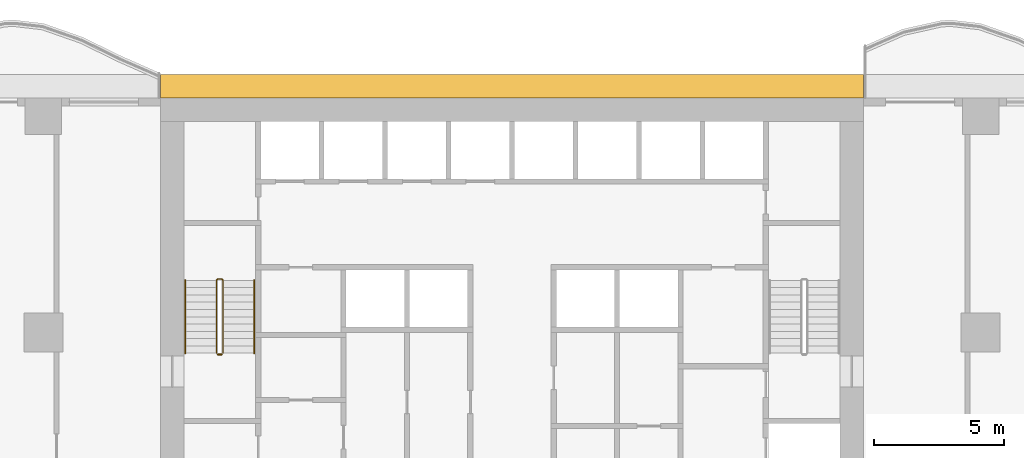
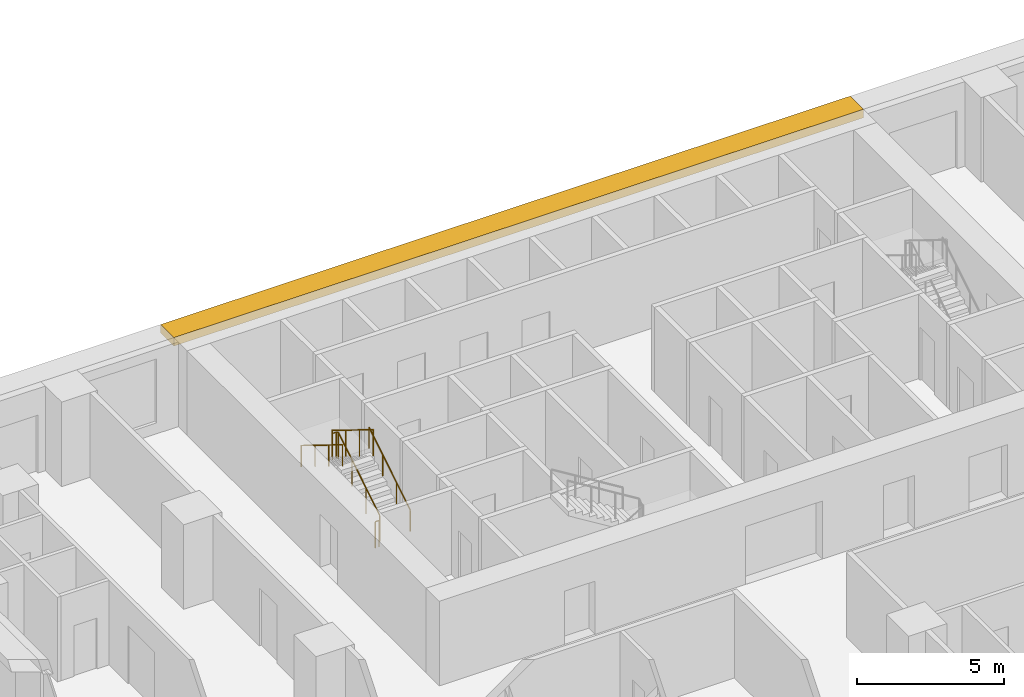
# One storey, part 12 of 14: 4 railings, 1 shading device.
"""IFC4 building model written with IfcOpenShell, lengths in metres."""

from ifc_helpers import new_model, si_unit, direction, frame, origin, origin_2d, place, context, subcontext, project, spatial, polyline, circle, outline, extrude, material, layer, layer_set, type_object, element, save


model = new_model("IFC4")

# Units and contexts
model_context = context("Model", 3, precision=1e-05, world=origin(), true_north=direction((0.0, 1.0)))
body_context = subcontext(model_context, "Body", "Model", "MODEL_VIEW")
ifc_project = project(units=[si_unit("LENGTHUNIT", "METRE"), si_unit("AREAUNIT", "SQUARE_METRE"), si_unit("VOLUMEUNIT", "CUBIC_METRE"), si_unit("PLANEANGLEUNIT", "RADIAN"), si_unit("MASSUNIT", "GRAM", prefix="KILO")], contexts=[model_context])

# Site, building, storey
site_placement = place(None, origin())
site = spatial("IfcSite", under=ifc_project, at=site_placement, CompositionType="ELEMENT")
building_placement = place(site_placement, origin())
building = spatial("IfcBuilding", under=site, at=building_placement, Name="Orbiselva Terraces", CompositionType="ELEMENT")
storey_placement = place(building_placement, frame((0.0, 0.0, 41.6)))
storey = spatial("IfcBuildingStorey", under=building, at=storey_placement, Name="L10", CompositionType="ELEMENT", Elevation=41.6)

# Railings
ifc_material_1 = material(Name="Stainless steel", Category="steel")
railing_type_1 = type_object("IfcRailingType", Name="CORE-GUARD-1100", PredefinedType="GUARDRAIL", material=ifc_material_1)
railing_1_placement = place(storey_placement, frame((-11.1, 12.7, 0.172727)))
element("IfcRailing", 1, at=railing_1_placement, inside=storey, type_object=railing_type_1, Name="L10 S1 stair guard 1", PredefinedType="GUARDRAIL", context=body_context, shape_type="SweptSolid", body=[
    extrude(circle(Radius=0.024, at=origin_2d()), frame((0.0, 0.0, 1.081), z_axis=(0.0, 0.851088519012, 0.52502222125), x_axis=(-1.0, 0.0, 0.0)), (0.0, 0.0, 1.0), 3.289905),
    extrude(circle(Radius=0.024, at=origin_2d()), frame((0.0, 2.8, 2.808273), z_axis=(-0.707106781187, 0.707106781187, 0.0), x_axis=(-0.707106781187, -0.707106781187, 0.0)), (0.0, 0.0, 1.0), 0.070711),
    extrude(circle(Radius=0.024, at=origin_2d()), frame((-0.05, 2.85, 2.808273), z_axis=(-1.0, 0.0, 0.0), x_axis=(0.0, -1.0, 0.0)), (0.0, 0.0, 1.0), 0.15),
    extrude(circle(Radius=0.024, at=origin_2d()), frame((-0.2, 2.85, 2.808273), z_axis=(-0.267894925557, -0.267894925557, 0.925453736133), x_axis=(0.707106781187, -0.707106781187, 0.0)), (0.0, 0.0, 1.0), 0.18664),
    extrude(circle(Radius=0.024, at=origin_2d()), frame((-0.25, 2.8, 2.981), z_axis=(0.0, -0.851088519012, 0.52502222125), x_axis=(1.0, 0.0, 0.0)), (0.0, 0.0, 1.0), 3.289905),
    extrude(circle(Radius=0.021, at=origin_2d()), origin(), (0.0, 0.0, 1.0), 1.057),
    extrude(circle(Radius=0.021, at=origin_2d()), frame((0.0, 0.933333, 0.575758)), (0.0, 0.0, 1.0), 1.057),
    extrude(circle(Radius=0.021, at=origin_2d()), frame((0.0, 1.866667, 1.151515)), (0.0, 0.0, 1.0), 1.057),
    extrude(circle(Radius=0.021, at=origin_2d()), frame((0.0, 2.8, 1.727273)), (0.0, 0.0, 1.0), 1.057),
    extrude(circle(Radius=0.021, at=origin_2d()), frame((-0.05, 2.85, 1.727273)), (0.0, 0.0, 1.0), 1.057),
    extrude(circle(Radius=0.021, at=origin_2d()), frame((-0.2, 2.85, 1.727273)), (0.0, 0.0, 1.0), 1.057),
    extrude(circle(Radius=0.021, at=origin_2d()), frame((-0.25, 2.8, 1.9)), (0.0, 0.0, 1.0), 1.057),
    extrude(circle(Radius=0.021, at=origin_2d()), frame((-0.25, 1.866667, 2.475758)), (0.0, 0.0, 1.0), 1.057),
    extrude(circle(Radius=0.021, at=origin_2d()), frame((-0.25, 0.933333, 3.051515)), (0.0, 0.0, 1.0), 1.057),
    extrude(circle(Radius=0.021, at=origin_2d()), frame((-0.25, 0.0, 3.627273)), (0.0, 0.0, 1.0), 1.057),
])
railing_2_placement = place(storey_placement, frame((-11.15, 12.65, 0.0)))
element("IfcRailing", 2, at=railing_2_placement, inside=storey, type_object=railing_type_1, Name="L10 S1 stair guard 2", PredefinedType="GUARDRAIL", context=body_context, shape_type="SweptSolid", body=[
    extrude(circle(Radius=0.024, at=origin_2d()), frame((0.0, 0.0, 1.081), z_axis=(-1.0, 0.0, 0.0), x_axis=(0.0, -1.0, 0.0)), (0.0, 0.0, 1.0), 0.15),
    extrude(circle(Radius=0.021, at=origin_2d()), origin(), (0.0, 0.0, 1.0), 1.057),
    extrude(circle(Radius=0.021, at=origin_2d()), frame((-0.15, 0.0, 0.0)), (0.0, 0.0, 1.0), 1.057),
])
railing_type_2 = type_object("IfcRailingType", Name="CORE-HANDRAIL-900", PredefinedType="HANDRAIL", material=ifc_material_1)
railing_3_placement = place(storey_placement, frame((-9.9, 12.7, 0.172727)))
element("IfcRailing", 3, at=railing_3_placement, inside=storey, type_object=railing_type_2, Name="L10 S1 stair handrail 1", PredefinedType="HANDRAIL", context=body_context, shape_type="SweptSolid", body=[
    extrude(circle(Radius=0.024, at=origin_2d()), frame((0.0, 0.0, 0.876), z_axis=(0.0, 0.851088519012, 0.52502222125), x_axis=(-1.0, 0.0, 0.0)), (0.0, 0.0, 1.0), 3.289905),
    extrude(circle(Radius=0.021, at=origin_2d()), origin(), (0.0, 0.0, 1.0), 0.852),
    extrude(circle(Radius=0.021, at=origin_2d()), frame((0.0, 0.933333, 0.575758)), (0.0, 0.0, 1.0), 0.852),
    extrude(circle(Radius=0.021, at=origin_2d()), frame((0.0, 1.866667, 1.151515)), (0.0, 0.0, 1.0), 0.852),
    extrude(circle(Radius=0.021, at=origin_2d()), frame((0.0, 2.8, 1.727273)), (0.0, 0.0, 1.0), 0.852),
])
railing_4_placement = place(storey_placement, frame((-12.55, 15.5, 2.072727)))
element("IfcRailing", 4, at=railing_4_placement, inside=storey, type_object=railing_type_2, Name="L10 S1 stair handrail 2", PredefinedType="HANDRAIL", context=body_context, shape_type="SweptSolid", body=[
    extrude(circle(Radius=0.024, at=origin_2d()), frame((0.0, 0.0, 0.876), z_axis=(0.0, -0.851088519012, 0.52502222125), x_axis=(1.0, 0.0, 0.0)), (0.0, 0.0, 1.0), 3.289905),
    extrude(circle(Radius=0.021, at=origin_2d()), origin(), (0.0, 0.0, 1.0), 0.852),
    extrude(circle(Radius=0.021, at=origin_2d()), frame((0.0, -0.933333, 0.575758)), (0.0, 0.0, 1.0), 0.852),
    extrude(circle(Radius=0.021, at=origin_2d()), frame((0.0, -1.866667, 1.151515)), (0.0, 0.0, 1.0), 0.852),
    extrude(circle(Radius=0.021, at=origin_2d()), frame((0.0, -2.8, 1.727273)), (0.0, 0.0, 1.0), 0.852),
])

# Shading device
ifc_material_2 = material(Name="Terracotta baguette sunshade", Category="masonry")
ifc_layer = layer(ifc_material_2, 0.35)
ifc_layer_set = layer_set([ifc_layer], Name="Terracotta baguette sunshade")
shading_device_type = type_object("IfcShadingDeviceType", Name="ENV-SUNSHADE-900x350", PredefinedType="USERDEFINED", material=ifc_layer_set)
shading_device_placement = place(storey_placement, frame((0.0, 0.0, 3.15)))
element("IfcShadingDevice", 5, at=shading_device_placement, inside=storey, type_object=shading_device_type, Name="Sunshade band L10 CORE NORTH", ObjectType="SUNSHADE", PredefinedType="USERDEFINED", context=body_context, shape_type="SweptSolid", body=[
    extrude(outline(polyline([(13.5, 23.4), (-13.5, 23.4), (-13.5, 22.5), (13.5, 22.5), (13.5, 23.4)])), origin(), (0.0, 0.0, 1.0), 0.35),
])

save(model, "model.ifc")
